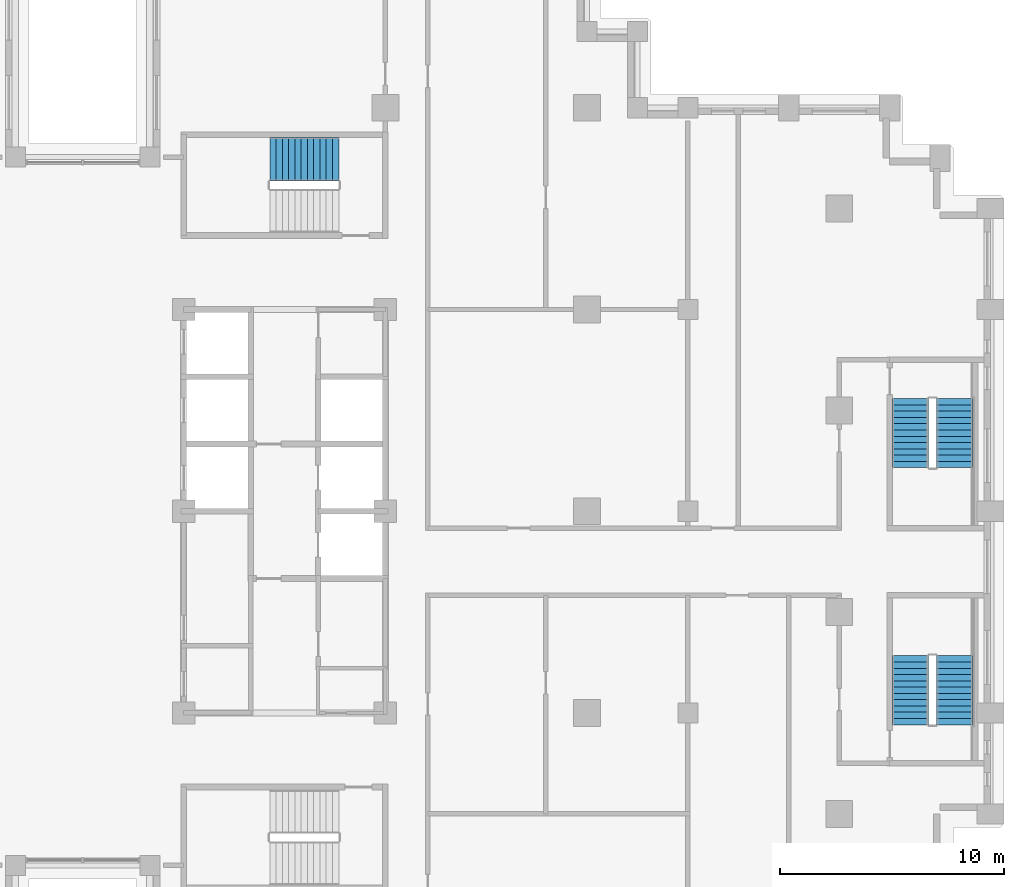
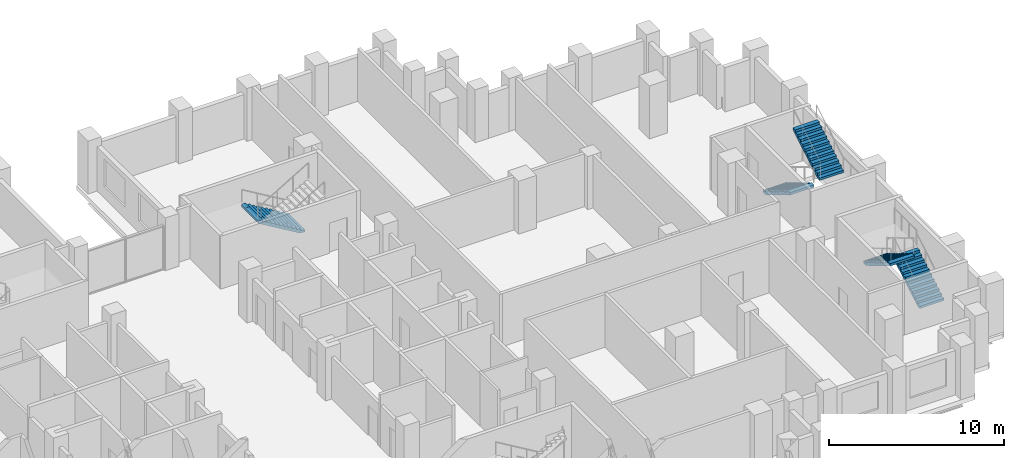
# One storey, part 14 of 16: 5 stair flights, 3 elements without a shape of their own.
"""IFC4 building model written with IfcOpenShell, lengths in metres."""

from ifc_helpers import new_model, si_unit, direction, frame, origin, place, context, subcontext, project, spatial, polyline, outline, extrude, material, type_object, element, aggregate, save


model = new_model("IFC4")

# Units and contexts
model_context = context("Model", 3, precision=1e-05, world=origin(), true_north=direction((0.0, 1.0)))
body_context = subcontext(model_context, "Body", "Model", "MODEL_VIEW")
ifc_project = project(units=[si_unit("LENGTHUNIT", "METRE"), si_unit("AREAUNIT", "SQUARE_METRE"), si_unit("VOLUMEUNIT", "CUBIC_METRE"), si_unit("PLANEANGLEUNIT", "RADIAN"), si_unit("MASSUNIT", "GRAM", prefix="KILO")], contexts=[model_context])

# Site, building, storey
site_placement = place(None, origin())
site = spatial("IfcSite", under=ifc_project, at=site_placement, CompositionType="ELEMENT")
building_placement = place(site_placement, origin())
building = spatial("IfcBuilding", under=site, at=building_placement, Name="Corbelhall Arena Tower", CompositionType="ELEMENT")
storey_placement = place(building_placement, frame((0.0, 0.0, 108.0)))
storey = spatial("IfcBuildingStorey", under=building, at=storey_placement, Name="L19", CompositionType="ELEMENT", Elevation=108.0)

# Stair, stair flight
ifc_material = material(Name="Concrete C40/50", Category="concrete")
stair_type = type_object("IfcStairType", Name="IN-ST-TOWER", PredefinedType="HALF_TURN_STAIR", material=ifc_material)
stair_1_placement = place(storey_placement, origin())
stair_1 = element("IfcStair", 1, at=stair_1_placement, inside=storey, type_object=stair_type, Name="L19 Exit stair ST3", PredefinedType="HALF_TURN_STAIR")
stair_flight_type = type_object("IfcStairFlightType", Name="IN-SFL-RC", PredefinedType="STRAIGHT", material=ifc_material)
stair_flight_1_placement = place(storey_placement, frame((11.425048828125, 15.699951171875, 0.0), z_axis=(0.0, 0.0, 1.0), x_axis=(-1.0, 0.0, 0.0)))
stair_flight_1 = element("IfcStairFlight", 2, at=stair_flight_1_placement, type_object=stair_flight_type, Name="ST3 flight 1", NumberOfRisers=12, NumberOfTreads=11, PredefinedType="STRAIGHT", RiserHeight=0.166666667, TreadLength=0.28, context=body_context, shape_type="SweptSolid", body=[
    extrude(outline(polyline([(0.0, 0.0), (0.0, 0.166748046875), (0.280029296875, 0.166748046875), (0.280029296875, 0.333251953125), (0.56005859375, 0.333251953125), (0.56005859375, 0.5), (0.840087890625, 0.5), (0.840087890625, 0.666748046875), (1.1201171875, 0.666748046875), (1.1201171875, 0.833251953125), (1.39990234375, 0.833251953125), (1.39990234375, 1.0), (1.679931640625, 1.0), (1.679931640625, 1.166748046875), (1.9599609375, 1.166748046875), (1.9599609375, 1.333251953125), (2.239990234375, 1.333251953125), (2.239990234375, 1.5), (2.52001953125, 1.5), (2.52001953125, 1.666748046875), (2.800048828125, 1.666748046875), (2.800048828125, 1.833251953125), (3.080078125, 1.833251953125), (3.080078125, 2.0), (3.080078125, 1.658935546875), (0.29296875, 0.0), (0.0, 0.0)])), frame((0.0, 0.97509765625, 0.0), z_axis=(0.0, -1.0, 0.0), x_axis=(1.0, 0.0, 0.0)), (0.0, 0.0, 1.0), 0.449951171875),
    extrude(outline(polyline([(0.0, 0.0), (0.0, 0.166748046875), (0.280029296875, 0.166748046875), (0.280029296875, 0.333251953125), (0.56005859375, 0.333251953125), (0.56005859375, 0.5), (0.840087890625, 0.5), (0.840087890625, 0.666748046875), (1.1201171875, 0.666748046875), (1.1201171875, 0.833251953125), (1.39990234375, 0.833251953125), (1.39990234375, 1.0), (1.679931640625, 1.0), (1.679931640625, 1.166748046875), (1.9599609375, 1.166748046875), (1.9599609375, 1.333251953125), (2.239990234375, 1.333251953125), (2.239990234375, 1.5), (2.52001953125, 1.5), (2.52001953125, 1.666748046875), (2.800048828125, 1.666748046875), (2.800048828125, 1.833251953125), (3.080078125, 1.833251953125), (3.080078125, 2.0), (3.080078125, 1.658935546875), (0.29296875, 0.0), (0.0, 0.0)])), frame((0.0, 0.52099609375, 0.0), z_axis=(0.0, -1.0, 0.0), x_axis=(1.0, 0.0, 0.0)), (0.0, 0.0, 1.0), 1.0419921875),
    extrude(outline(polyline([(0.0, 0.0), (0.0, 0.166748046875), (0.280029296875, 0.166748046875), (0.280029296875, 0.333251953125), (0.56005859375, 0.333251953125), (0.56005859375, 0.5), (0.840087890625, 0.5), (0.840087890625, 0.666748046875), (1.1201171875, 0.666748046875), (1.1201171875, 0.833251953125), (1.39990234375, 0.833251953125), (1.39990234375, 1.0), (1.679931640625, 1.0), (1.679931640625, 1.166748046875), (1.9599609375, 1.166748046875), (1.9599609375, 1.333251953125), (2.239990234375, 1.333251953125), (2.239990234375, 1.5), (2.52001953125, 1.5), (2.52001953125, 1.666748046875), (2.800048828125, 1.666748046875), (2.800048828125, 1.833251953125), (3.080078125, 1.833251953125), (3.080078125, 2.0), (3.080078125, 1.658935546875), (0.29296875, 0.0), (0.0, 0.0)])), frame((0.0, -0.52490234375, 0.0), z_axis=(0.0, -1.0, 0.0), x_axis=(1.0, 0.0, 0.0)), (0.0, 0.0, 1.0), 0.449951171875),
])
aggregate(stair_1, [stair_flight_1])

# Stair, stair flights
stair_2_placement = place(storey_placement, origin())
stair_2 = element("IfcStair", 3, at=stair_2_placement, inside=storey, type_object=stair_type, Name="L19 Exit stair SD1", PredefinedType="HALF_TURN_STAIR")
stair_flight_2_placement = place(storey_placement, frame((38.89990234375, -9.52490234375, 0.0), z_axis=(0.0, 0.0, 1.0), x_axis=(0.0, 1.0, 0.0)))
stair_flight_2 = element("IfcStairFlight", 4, at=stair_flight_2_placement, type_object=stair_flight_type, Name="SD1 flight 1", NumberOfRisers=12, NumberOfTreads=11, PredefinedType="STRAIGHT", RiserHeight=0.166666667, TreadLength=0.28, context=body_context, shape_type="SweptSolid", body=[
    extrude(outline(polyline([(0.0, 0.0), (0.0, 0.166748046875), (0.280029296875, 0.166748046875), (0.280029296875, 0.333251953125), (0.56005859375, 0.333251953125), (0.56005859375, 0.5), (0.840087890625, 0.5), (0.840087890625, 0.666748046875), (1.1201171875, 0.666748046875), (1.1201171875, 0.833251953125), (1.39990234375, 0.833251953125), (1.39990234375, 1.0), (1.679931640625, 1.0), (1.679931640625, 1.166748046875), (1.9599609375, 1.166748046875), (1.9599609375, 1.333251953125), (2.239990234375, 1.333251953125), (2.239990234375, 1.5), (2.52001953125, 1.5), (2.52001953125, 1.666748046875), (2.800048828125, 1.666748046875), (2.800048828125, 1.833251953125), (3.080078125, 1.833251953125), (3.080078125, 2.0), (3.080078125, 1.658935546875), (0.29296875, 0.0), (0.0, 0.0)])), frame((0.0, 0.800048828125, 0.0), z_axis=(0.0, -1.0, 0.0), x_axis=(1.0, 0.0, 0.0)), (0.0, 0.0, 1.0), 1.60009765625),
])
stair_flight_3_placement = place(storey_placement, frame((36.925048828125, -6.445068359375, 2.0), z_axis=(0.0, 0.0, 1.0), x_axis=(0.0, -1.0, 0.0)))
stair_flight_3 = element("IfcStairFlight", 5, at=stair_flight_3_placement, type_object=stair_flight_type, Name="SD1 flight 2", NumberOfRisers=12, NumberOfTreads=11, PredefinedType="STRAIGHT", RiserHeight=0.166666667, TreadLength=0.28, context=body_context, shape_type="SweptSolid", body=[
    extrude(outline(polyline([(0.0, 0.0), (0.0, 0.166748046875), (0.280029296875, 0.166748046875), (0.280029296875, 0.333251953125), (0.56005859375, 0.333251953125), (0.56005859375, 0.5), (0.840087890625, 0.5), (0.840087890625, 0.666748046875), (1.1201171875, 0.666748046875), (1.1201171875, 0.833251953125), (1.39990234375, 0.833251953125), (1.39990234375, 1.0), (1.679931640625, 1.0), (1.679931640625, 1.166748046875), (1.9599609375, 1.166748046875), (1.9599609375, 1.333251953125), (2.239990234375, 1.333251953125), (2.239990234375, 1.5), (2.52001953125, 1.5), (2.52001953125, 1.666748046875), (2.800048828125, 1.666748046875), (2.800048828125, 1.833251953125), (3.080078125, 1.833251953125), (3.080078125, 2.0), (3.080078125, 1.658935546875), (0.29296875, 0.0), (0.0, 0.0)])), frame((0.0, 0.800048828125, 0.0), z_axis=(0.0, -1.0, 0.0), x_axis=(1.0, 0.0, 0.0)), (0.0, 0.0, 1.0), 1.60009765625),
])
aggregate(stair_2, [stair_flight_2, stair_flight_3])

stair_3_placement = place(storey_placement, origin())
stair_3 = element("IfcStair", 6, at=stair_3_placement, inside=storey, type_object=stair_type, Name="L19 Exit stair SD2", PredefinedType="HALF_TURN_STAIR")
stair_flight_4_placement = place(storey_placement, frame((36.925048828125, 5.02490234375, 0.0), z_axis=(0.0, 0.0, 1.0), x_axis=(0.0, -1.0, 0.0)))
stair_flight_4 = element("IfcStairFlight", 7, at=stair_flight_4_placement, type_object=stair_flight_type, Name="SD2 flight 1", NumberOfRisers=12, NumberOfTreads=11, PredefinedType="STRAIGHT", RiserHeight=0.166666667, TreadLength=0.28, context=body_context, shape_type="SweptSolid", body=[
    extrude(outline(polyline([(0.0, 0.0), (0.0, 0.166748046875), (0.280029296875, 0.166748046875), (0.280029296875, 0.333251953125), (0.56005859375, 0.333251953125), (0.56005859375, 0.5), (0.840087890625, 0.5), (0.840087890625, 0.666748046875), (1.1201171875, 0.666748046875), (1.1201171875, 0.833251953125), (1.39990234375, 0.833251953125), (1.39990234375, 1.0), (1.679931640625, 1.0), (1.679931640625, 1.166748046875), (1.9599609375, 1.166748046875), (1.9599609375, 1.333251953125), (2.239990234375, 1.333251953125), (2.239990234375, 1.5), (2.52001953125, 1.5), (2.52001953125, 1.666748046875), (2.800048828125, 1.666748046875), (2.800048828125, 1.833251953125), (3.080078125, 1.833251953125), (3.080078125, 2.0), (3.080078125, 1.658935546875), (0.29296875, 0.0), (0.0, 0.0)])), frame((0.0, 0.800048828125, 0.0), z_axis=(0.0, -1.0, 0.0), x_axis=(1.0, 0.0, 0.0)), (0.0, 0.0, 1.0), 1.60009765625),
])
stair_flight_5_placement = place(storey_placement, frame((38.89990234375, 1.945068359375, 2.0), z_axis=(0.0, 0.0, 1.0), x_axis=(0.0, 1.0, 0.0)))
stair_flight_5 = element("IfcStairFlight", 8, at=stair_flight_5_placement, type_object=stair_flight_type, Name="SD2 flight 2", NumberOfRisers=12, NumberOfTreads=11, PredefinedType="STRAIGHT", RiserHeight=0.166666667, TreadLength=0.28, context=body_context, shape_type="SweptSolid", body=[
    extrude(outline(polyline([(0.0, 0.0), (0.0, 0.166748046875), (0.280029296875, 0.166748046875), (0.280029296875, 0.333251953125), (0.56005859375, 0.333251953125), (0.56005859375, 0.5), (0.840087890625, 0.5), (0.840087890625, 0.666748046875), (1.1201171875, 0.666748046875), (1.1201171875, 0.833251953125), (1.39990234375, 0.833251953125), (1.39990234375, 1.0), (1.679931640625, 1.0), (1.679931640625, 1.166748046875), (1.9599609375, 1.166748046875), (1.9599609375, 1.333251953125), (2.239990234375, 1.333251953125), (2.239990234375, 1.5), (2.52001953125, 1.5), (2.52001953125, 1.666748046875), (2.800048828125, 1.666748046875), (2.800048828125, 1.833251953125), (3.080078125, 1.833251953125), (3.080078125, 2.0), (3.080078125, 1.658935546875), (0.29296875, 0.0), (0.0, 0.0)])), frame((0.0, 0.800048828125, 0.0), z_axis=(0.0, -1.0, 0.0), x_axis=(1.0, 0.0, 0.0)), (0.0, 0.0, 1.0), 1.60009765625),
])
aggregate(stair_3, [stair_flight_4, stair_flight_5])

save(model, "model.ifc")
